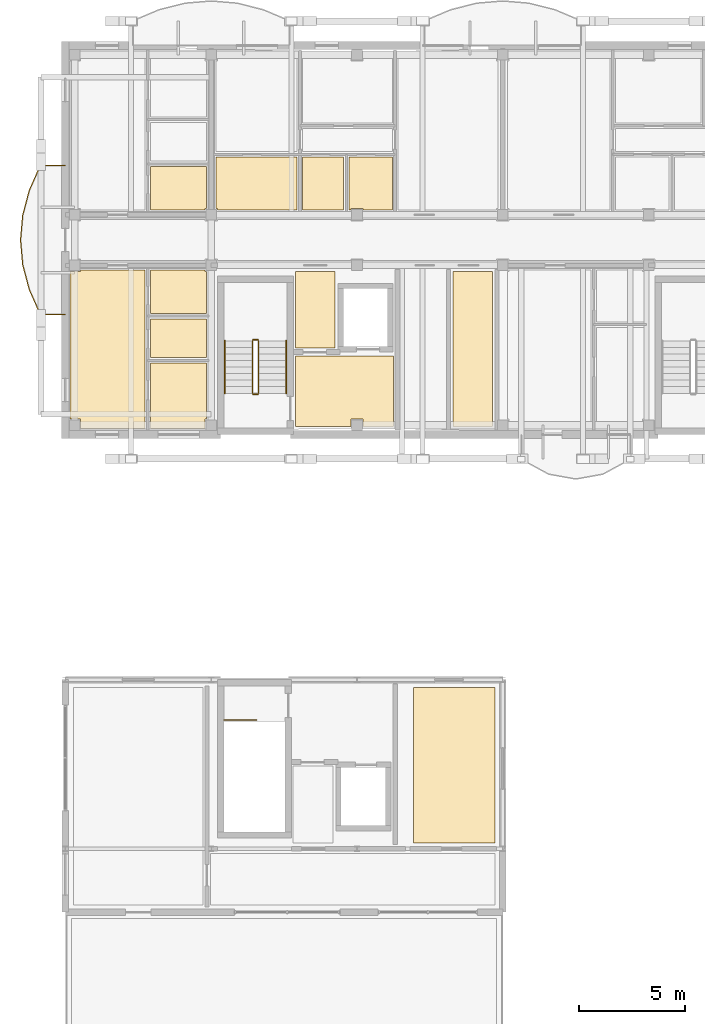
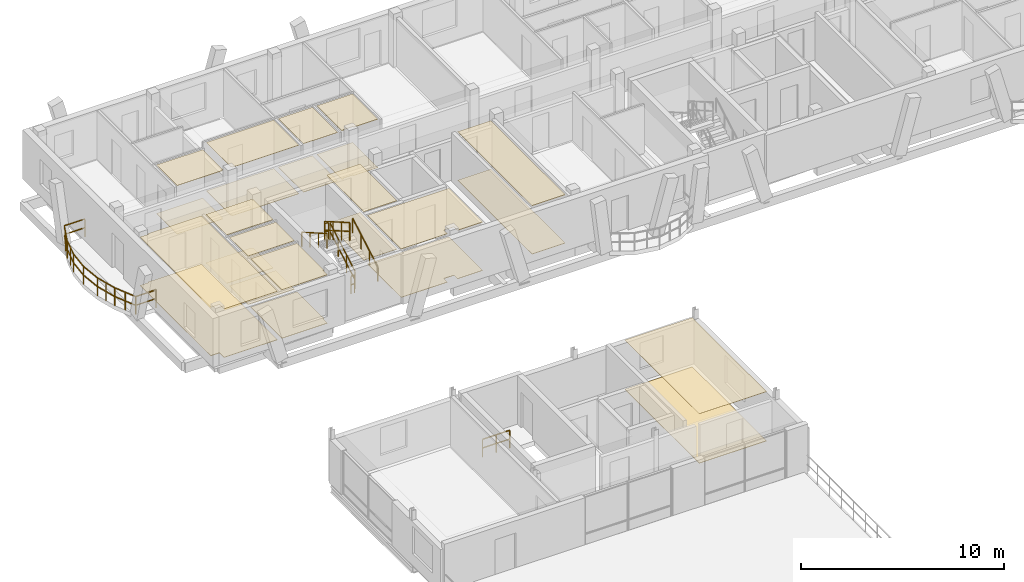
# One storey, part 94 of 109: 24 coverings, 8 railings.
"""IFC4 building model written with IfcOpenShell, lengths in metres."""

from ifc_helpers import new_model, si_unit, direction, frame, origin, origin_2d, place, context, subcontext, project, spatial, polyline, rectangle, outline, extrude, material, layer, layer_set, type_object, element, save


model = new_model("IFC4")

# Units and contexts
model_context = context("Model", 3, precision=1e-05, world=origin(), true_north=direction((0.0, 1.0)))
body_context = subcontext(model_context, "Body", "Model", "MODEL_VIEW")
ifc_project = project(units=[si_unit("LENGTHUNIT", "METRE"), si_unit("AREAUNIT", "SQUARE_METRE"), si_unit("VOLUMEUNIT", "CUBIC_METRE"), si_unit("PLANEANGLEUNIT", "RADIAN"), si_unit("MASSUNIT", "GRAM", prefix="KILO")], contexts=[model_context])

# Site, building, storey
site_placement = place(None, origin())
site = spatial("IfcSite", under=ifc_project, at=site_placement, CompositionType="ELEMENT")
building_placement = place(site_placement, origin())
building = spatial("IfcBuilding", under=site, at=building_placement, Name="Zavelmont Quarter", CompositionType="ELEMENT")
storey_placement = place(building_placement, frame((0.0, 0.0, 8.0)))
storey = spatial("IfcBuildingStorey", under=building, at=storey_placement, Name="L02", CompositionType="ELEMENT", Elevation=8.0)

# Coverings
ifc_material_1 = material(Name="Perforated acoustic gypsum board")
ifc_layer_1 = layer(ifc_material_1, 0.02490234375)
ifc_layer_set_1 = layer_set([ifc_layer_1], Name="Perforated acoustic gypsum board")
covering_type_1 = type_object("IfcCoveringType", Name="CV-CL01", PredefinedType="CEILING", material=ifc_layer_set_1)
covering_1_placement = place(storey_placement, frame((0.0, 0.0, 2.9150390625)))
element("IfcCovering", 1, at=covering_1_placement, inside=storey, type_object=covering_type_1, Name="L02 Firefighting Lobby acoustic ceiling", PredefinedType="CEILING", context=body_context, shape_type="SweptSolid", body=[
    extrude(outline(polyline([(10.8798828125, 101.320068359375), (15.52001953125, 101.320068359375), (15.52001953125, 97.97998046875), (14.090087890625, 97.97998046875), (14.090087890625, 98.330078125), (13.510009765625, 98.330078125), (13.510009765625, 97.97998046875), (10.8798828125, 97.97998046875), (10.8798828125, 101.320068359375)])), origin(), (0.0, 0.0, 1.0), 0.02490234375),
])
covering_2_placement = place(storey_placement, frame((0.0, 0.0, 2.9150390625)))
element("IfcCovering", 2, at=covering_2_placement, inside=storey, type_object=covering_type_1, Name="L02 Lobby Vestibule acoustic ceiling", PredefinedType="CEILING", context=body_context, shape_type="SweptSolid", body=[
    extrude(outline(polyline([(10.8798828125, 105.320068359375), (12.77001953125, 105.320068359375), (12.77001953125, 101.679931640625), (10.8798828125, 101.679931640625), (10.8798828125, 105.320068359375)])), origin(), (0.0, 0.0, 1.0), 0.02490234375),
])
covering_3_placement = place(storey_placement, frame((0.0, 0.0, 2.9150390625)))
element("IfcCovering", 3, at=covering_3_placement, inside=storey, type_object=covering_type_1, Name="L02 Cleaners Store acoustic ceiling", PredefinedType="CEILING", context=body_context, shape_type="SweptSolid", body=[
    extrude(outline(polyline([(18.330078125, 105.320068359375), (20.219970703125, 105.320068359375), (20.219970703125, 97.97998046875), (18.330078125, 97.97998046875), (18.330078125, 105.320068359375)])), origin(), (0.0, 0.0, 1.0), 0.02490234375),
])
covering_4_placement = place(storey_placement, frame((0.0, 0.0, 2.9150390625)))
element("IfcCovering", 4, at=covering_4_placement, inside=storey, type_object=covering_type_1, Name="L02 Kitchen acoustic ceiling", PredefinedType="CEILING", context=body_context, shape_type="SweptSolid", body=[
    extrude(outline(polyline([(4.030029296875, 110.27001953125), (6.669921875, 110.27001953125), (6.669921875, 108.2900390625), (6.610107421875, 108.2900390625), (6.610107421875, 108.22998046875), (4.030029296875, 108.22998046875), (4.030029296875, 110.27001953125)])), origin(), (0.0, 0.0, 1.0), 0.02490234375),
])
covering_5_placement = place(storey_placement, frame((0.0, 0.0, 2.9150390625)))
element("IfcCovering", 5, at=covering_5_placement, inside=storey, type_object=covering_type_1, Name="L02 Kitchen acoustic ceiling", PredefinedType="CEILING", context=body_context, shape_type="SweptSolid", body=[
    extrude(outline(polyline([(13.429931640625, 110.719970703125), (15.469970703125, 110.719970703125), (15.469970703125, 108.22998046875), (14.090087890625, 108.22998046875), (14.090087890625, 108.2900390625), (13.510009765625, 108.2900390625), (13.510009765625, 108.22998046875), (13.429931640625, 108.22998046875), (13.429931640625, 110.719970703125)])), origin(), (0.0, 0.0, 1.0), 0.02490234375),
])
covering_6_placement = place(storey_placement, frame((0.0, 0.0, 2.9150390625)))
element("IfcCovering", 6, at=covering_6_placement, inside=storey, type_object=covering_type_1, Name="L02 Living Dining acoustic ceiling", PredefinedType="CEILING", context=body_context, shape_type="SweptSolid", body=[
    extrude(outline(polyline([(0.22998046875, 105.31005859375), (0.72998046875, 105.31005859375), (0.72998046875, 105.3701171875), (3.77001953125, 105.3701171875), (3.77001953125, 97.8798828125), (0.72998046875, 97.8798828125), (0.72998046875, 98.330078125), (0.22998046875, 98.330078125), (0.22998046875, 105.31005859375)])), origin(), (0.0, 0.0, 1.0), 0.02490234375),
])
covering_7_placement = place(storey_placement, frame((0.0, 0.0, 2.9150390625)))
element("IfcCovering", 7, at=covering_7_placement, inside=storey, type_object=covering_type_1, Name="L02 Kitchen acoustic ceiling", PredefinedType="CEILING", context=body_context, shape_type="SweptSolid", body=[
    extrude(outline(polyline([(4.030029296875, 105.3701171875), (6.610107421875, 105.3701171875), (6.610107421875, 105.31005859375), (6.669921875, 105.31005859375), (6.669921875, 103.330078125), (4.030029296875, 103.330078125), (4.030029296875, 105.3701171875)])), origin(), (0.0, 0.0, 1.0), 0.02490234375),
])
covering_8_placement = place(storey_placement, frame((0.0, 0.0, 2.9150390625)))
element("IfcCovering", 8, at=covering_8_placement, inside=storey, type_object=covering_type_1, Name="L02 Single Bedroom acoustic ceiling", PredefinedType="CEILING", context=body_context, shape_type="SweptSolid", body=[
    extrude(outline(polyline([(4.030029296875, 100.969970703125), (6.669921875, 100.969970703125), (6.669921875, 98.330078125), (6.610107421875, 98.330078125), (6.610107421875, 97.8798828125), (4.030029296875, 97.8798828125), (4.030029296875, 100.969970703125)])), origin(), (0.0, 0.0, 1.0), 0.02490234375),
])
ifc_material_2 = material(Name="Moisture-resistant painted gypsum ceiling")
ifc_layer_2 = layer(ifc_material_2, 0.02001953125)
ifc_layer_set_2 = layer_set([ifc_layer_2], Name="Moisture-resistant painted gypsum ceiling")
covering_type_2 = type_object("IfcCoveringType", Name="CV-CL04", PredefinedType="CEILING", material=ifc_layer_set_2)
covering_9_placement = place(storey_placement, frame((0.0, 0.0, 2.969970703125)))
element("IfcCovering", 9, at=covering_9_placement, inside=storey, type_object=covering_type_2, Name="L02 Garden Accessible Toilet acoustic ceiling", PredefinedType="CEILING", context=body_context, shape_type="SweptSolid", body=[
    extrude(outline(polyline([(16.47998046875, 85.6201171875), (20.320068359375, 85.6201171875), (20.320068359375, 78.280029296875), (16.47998046875, 78.280029296875), (16.47998046875, 85.6201171875)])), origin(), (0.0, 0.0, 1.0), 0.02001953125),
])
covering_10_placement = place(storey_placement, frame((0.0, 0.0, 2.919921875)))
element("IfcCovering", 10, at=covering_10_placement, inside=storey, type_object=covering_type_2, Name="L02 Bathroom acoustic ceiling", PredefinedType="CEILING", context=body_context, shape_type="SweptSolid", body=[
    extrude(outline(polyline([(7.1298828125, 110.719970703125), (10.969970703125, 110.719970703125), (10.969970703125, 108.22998046875), (7.18994140625, 108.22998046875), (7.18994140625, 108.2900390625), (7.1298828125, 108.2900390625), (7.1298828125, 110.719970703125)])), origin(), (0.0, 0.0, 1.0), 0.02001953125),
])
covering_11_placement = place(storey_placement, frame((0.0, 0.0, 2.919921875)))
element("IfcCovering", 11, at=covering_11_placement, inside=storey, type_object=covering_type_2, Name="L02 Bathroom acoustic ceiling", PredefinedType="CEILING", context=body_context, shape_type="SweptSolid", body=[
    extrude(outline(polyline([(11.22998046875, 110.719970703125), (13.169921875, 110.719970703125), (13.169921875, 108.22998046875), (11.22998046875, 108.22998046875), (11.22998046875, 110.719970703125)])), origin(), (0.0, 0.0, 1.0), 0.02001953125),
])
covering_12_placement = place(storey_placement, frame((0.0, 0.0, 2.919921875)))
element("IfcCovering", 12, at=covering_12_placement, inside=storey, type_object=covering_type_2, Name="L02 Bathroom acoustic ceiling", PredefinedType="CEILING", context=body_context, shape_type="SweptSolid", body=[
    extrude(outline(polyline([(4.030029296875, 103.070068359375), (6.669921875, 103.070068359375), (6.669921875, 101.22998046875), (4.030029296875, 101.22998046875), (4.030029296875, 103.070068359375)])), origin(), (0.0, 0.0, 1.0), 0.02001953125),
])
ifc_material_3 = material(Name="Engineered European oak parquet")
ifc_layer_3 = layer(ifc_material_3, 0.02197265625)
ifc_layer_set_3 = layer_set([ifc_layer_3], Name="Engineered European oak parquet")
covering_type_3 = type_object("IfcCoveringType", Name="CV-FL01", PredefinedType="FLOORING", material=ifc_layer_set_3)
covering_13_placement = place(storey_placement, origin())
element("IfcCovering", 13, at=covering_13_placement, inside=storey, type_object=covering_type_3, Name="L02 Firefighting Lobby floor finish", PredefinedType="FLOORING", context=body_context, shape_type="SweptSolid", body=[
    extrude(outline(polyline([(10.8798828125, 101.320068359375), (15.52001953125, 101.320068359375), (15.52001953125, 97.97998046875), (14.090087890625, 97.97998046875), (14.090087890625, 98.330078125), (13.510009765625, 98.330078125), (13.510009765625, 97.97998046875), (10.8798828125, 97.97998046875), (10.8798828125, 101.320068359375)])), origin(), (0.0, 0.0, 1.0), 0.02197265625),
])
covering_14_placement = place(storey_placement, origin())
element("IfcCovering", 14, at=covering_14_placement, inside=storey, type_object=covering_type_3, Name="L02 Lobby Vestibule floor finish", PredefinedType="FLOORING", context=body_context, shape_type="SweptSolid", body=[
    extrude(outline(polyline([(10.8798828125, 105.320068359375), (12.77001953125, 105.320068359375), (12.77001953125, 101.679931640625), (10.8798828125, 101.679931640625), (10.8798828125, 105.320068359375)])), origin(), (0.0, 0.0, 1.0), 0.02197265625),
])
covering_15_placement = place(storey_placement, origin())
element("IfcCovering", 15, at=covering_15_placement, inside=storey, type_object=covering_type_3, Name="L02 Cleaners Store floor finish", PredefinedType="FLOORING", context=body_context, shape_type="SweptSolid", body=[
    extrude(outline(polyline([(18.330078125, 105.320068359375), (20.219970703125, 105.320068359375), (20.219970703125, 97.97998046875), (18.330078125, 97.97998046875), (18.330078125, 105.320068359375)])), origin(), (0.0, 0.0, 1.0), 0.02197265625),
])
covering_16_placement = place(storey_placement, origin())
element("IfcCovering", 16, at=covering_16_placement, inside=storey, type_object=covering_type_3, Name="L02 Kitchen floor finish", PredefinedType="FLOORING", context=body_context, shape_type="SweptSolid", body=[
    extrude(outline(polyline([(4.030029296875, 110.27001953125), (6.669921875, 110.27001953125), (6.669921875, 108.2900390625), (6.610107421875, 108.2900390625), (6.610107421875, 108.22998046875), (4.030029296875, 108.22998046875), (4.030029296875, 110.27001953125)])), origin(), (0.0, 0.0, 1.0), 0.02197265625),
])
covering_17_placement = place(storey_placement, origin())
element("IfcCovering", 17, at=covering_17_placement, inside=storey, type_object=covering_type_3, Name="L02 Kitchen floor finish", PredefinedType="FLOORING", context=body_context, shape_type="SweptSolid", body=[
    extrude(outline(polyline([(13.429931640625, 110.719970703125), (15.469970703125, 110.719970703125), (15.469970703125, 108.22998046875), (14.090087890625, 108.22998046875), (14.090087890625, 108.2900390625), (13.510009765625, 108.2900390625), (13.510009765625, 108.22998046875), (13.429931640625, 108.22998046875), (13.429931640625, 110.719970703125)])), origin(), (0.0, 0.0, 1.0), 0.02197265625),
])
covering_18_placement = place(storey_placement, origin())
element("IfcCovering", 18, at=covering_18_placement, inside=storey, type_object=covering_type_3, Name="L02 Living Dining floor finish", PredefinedType="FLOORING", context=body_context, shape_type="SweptSolid", body=[
    extrude(outline(polyline([(0.22998046875, 105.31005859375), (0.72998046875, 105.31005859375), (0.72998046875, 105.3701171875), (3.77001953125, 105.3701171875), (3.77001953125, 97.8798828125), (0.72998046875, 97.8798828125), (0.72998046875, 98.330078125), (0.22998046875, 98.330078125), (0.22998046875, 105.31005859375)])), origin(), (0.0, 0.0, 1.0), 0.02197265625),
])
covering_19_placement = place(storey_placement, origin())
element("IfcCovering", 19, at=covering_19_placement, inside=storey, type_object=covering_type_3, Name="L02 Kitchen floor finish", PredefinedType="FLOORING", context=body_context, shape_type="SweptSolid", body=[
    extrude(outline(polyline([(4.030029296875, 105.3701171875), (6.610107421875, 105.3701171875), (6.610107421875, 105.31005859375), (6.669921875, 105.31005859375), (6.669921875, 103.330078125), (4.030029296875, 103.330078125), (4.030029296875, 105.3701171875)])), origin(), (0.0, 0.0, 1.0), 0.02197265625),
])
covering_20_placement = place(storey_placement, origin())
element("IfcCovering", 20, at=covering_20_placement, inside=storey, type_object=covering_type_3, Name="L02 Single Bedroom floor finish", PredefinedType="FLOORING", context=body_context, shape_type="SweptSolid", body=[
    extrude(outline(polyline([(4.030029296875, 100.969970703125), (6.669921875, 100.969970703125), (6.669921875, 98.330078125), (6.610107421875, 98.330078125), (6.610107421875, 97.8798828125), (4.030029296875, 97.8798828125), (4.030029296875, 100.969970703125)])), origin(), (0.0, 0.0, 1.0), 0.02197265625),
])
ifc_material_4 = material(Name="Slip-resistant porcelain tile")
ifc_layer_4 = layer(ifc_material_4, 0.02587890625)
ifc_layer_set_4 = layer_set([ifc_layer_4], Name="Slip-resistant porcelain tile")
covering_type_4 = type_object("IfcCoveringType", Name="CV-FL04", PredefinedType="FLOORING", material=ifc_layer_set_4)
covering_21_placement = place(storey_placement, origin())
element("IfcCovering", 21, at=covering_21_placement, inside=storey, type_object=covering_type_4, Name="L02 Garden Accessible Toilet floor finish", PredefinedType="FLOORING", context=body_context, shape_type="SweptSolid", body=[
    extrude(outline(polyline([(16.47998046875, 85.6201171875), (20.320068359375, 85.6201171875), (20.320068359375, 78.280029296875), (16.47998046875, 78.280029296875), (16.47998046875, 85.6201171875)])), origin(), (0.0, 0.0, 1.0), 0.02587890625),
])
covering_22_placement = place(storey_placement, origin())
element("IfcCovering", 22, at=covering_22_placement, inside=storey, type_object=covering_type_4, Name="L02 Bathroom floor finish", PredefinedType="FLOORING", context=body_context, shape_type="SweptSolid", body=[
    extrude(outline(polyline([(7.1298828125, 110.719970703125), (10.969970703125, 110.719970703125), (10.969970703125, 108.22998046875), (7.18994140625, 108.22998046875), (7.18994140625, 108.2900390625), (7.1298828125, 108.2900390625), (7.1298828125, 110.719970703125)])), origin(), (0.0, 0.0, 1.0), 0.02587890625),
])
covering_23_placement = place(storey_placement, origin())
element("IfcCovering", 23, at=covering_23_placement, inside=storey, type_object=covering_type_4, Name="L02 Bathroom floor finish", PredefinedType="FLOORING", context=body_context, shape_type="SweptSolid", body=[
    extrude(outline(polyline([(11.22998046875, 110.719970703125), (13.169921875, 110.719970703125), (13.169921875, 108.22998046875), (11.22998046875, 108.22998046875), (11.22998046875, 110.719970703125)])), origin(), (0.0, 0.0, 1.0), 0.02587890625),
])
covering_24_placement = place(storey_placement, origin())
element("IfcCovering", 24, at=covering_24_placement, inside=storey, type_object=covering_type_4, Name="L02 Bathroom floor finish", PredefinedType="FLOORING", context=body_context, shape_type="SweptSolid", body=[
    extrude(outline(polyline([(4.030029296875, 103.070068359375), (6.669921875, 103.070068359375), (6.669921875, 101.22998046875), (4.030029296875, 101.22998046875), (4.030029296875, 103.070068359375)])), origin(), (0.0, 0.0, 1.0), 0.02587890625),
])

# Railings
ifc_material_5 = material(Name="Powder-coated steel and tempered double safety glass", Category="steel")
railing_type_1 = type_object("IfcRailingType", Name="RL-BAL1", PredefinedType="BALUSTRADE", material=ifc_material_5)
railing_1_placement = place(storey_placement, frame((-0.02001953125, 110.317626953125, 0.0)))
element("IfcRailing", 25, at=railing_1_placement, inside=storey, type_object=railing_type_1, Name="L02 Block B curved balcony guard RL-BAL1", PredefinedType="BALUSTRADE", context=body_context, shape_type="SweptSolid", body=[
    extrude(rectangle(XDim=0.048095703125, YDim=0.048095703125, at=origin_2d()), frame((0.0, 0.0, 1.076171875), z_axis=(-1.0, 0.0, 0.0), x_axis=(0.0, -1.0, 0.0)), (0.0, 0.0, 1.0), 1.16650390625),
    extrude(rectangle(XDim=0.048095703125, YDim=0.048095703125, at=origin_2d()), frame((0.0, 0.0, 0.550048828125), z_axis=(-1.0, 0.0, 0.0), x_axis=(0.0, -1.0, 0.0)), (0.0, 0.0, 1.0), 1.16650390625),
    extrude(rectangle(XDim=0.048095703125, YDim=0.048095703125, at=origin_2d()), frame((-1.16650390625, 0.0, 1.076171875), z_axis=(-0.40412308764, -0.914704613542, 0.0), x_axis=(0.914704613542, -0.40412308764, 0.0)), (0.0, 0.0, 1.0), 1.281982421875),
    extrude(rectangle(XDim=0.048095703125, YDim=0.048095703125, at=origin_2d()), frame((-1.16650390625, 0.0, 0.550048828125), z_axis=(-0.40412308764, -0.914704613542, 0.0), x_axis=(0.914704613542, -0.40412308764, 0.0)), (0.0, 0.0, 1.0), 1.281982421875),
    extrude(rectangle(XDim=0.048095703125, YDim=0.048095703125, at=origin_2d()), frame((-1.6845703125, -1.172607421875, 1.076171875), z_axis=(-0.256196788254, -0.966624645707, 0.0), x_axis=(0.966624645707, -0.256196788254, 0.0)), (0.0, 0.0, 1.0), 1.213134765625),
    extrude(rectangle(XDim=0.048095703125, YDim=0.048095703125, at=origin_2d()), frame((-1.6845703125, -1.172607421875, 0.550048828125), z_axis=(-0.256196788254, -0.966624645707, 0.0), x_axis=(0.966624645707, -0.256196788254, 0.0)), (0.0, 0.0, 1.0), 1.213134765625),
    extrude(rectangle(XDim=0.048095703125, YDim=0.048095703125, at=origin_2d()), frame((-1.995361328125, -2.34521484375, 1.076171875), z_axis=(-0.087954350419, -0.996124506396, 0.0), x_axis=(0.996124506396, -0.087954350419, 0.0)), (0.0, 0.0, 1.0), 1.177001953125),
    extrude(rectangle(XDim=0.048095703125, YDim=0.048095703125, at=origin_2d()), frame((-1.995361328125, -2.34521484375, 0.550048828125), z_axis=(-0.087954350419, -0.996124506396, 0.0), x_axis=(0.996124506396, -0.087954350419, 0.0)), (0.0, 0.0, 1.0), 1.177001953125),
    extrude(rectangle(XDim=0.048095703125, YDim=0.048095703125, at=origin_2d()), frame((-2.098876953125, -3.517578125, 1.076171875), z_axis=(0.087936179661, -0.996126110644, 0.0), x_axis=(0.996126110644, 0.087936179661, 0.0)), (0.0, 0.0, 1.0), 1.17724609375),
    extrude(rectangle(XDim=0.048095703125, YDim=0.048095703125, at=origin_2d()), frame((-2.098876953125, -3.517578125, 0.550048828125), z_axis=(0.087936179661, -0.996126110644, 0.0), x_axis=(0.996126110644, 0.087936179661, 0.0)), (0.0, 0.0, 1.0), 1.17724609375),
    extrude(rectangle(XDim=0.048095703125, YDim=0.048095703125, at=origin_2d()), frame((-1.995361328125, -4.690185546875, 1.076171875), z_axis=(0.256196788254, -0.966624645707, 0.0), x_axis=(0.966624645707, 0.256196788254, 0.0)), (0.0, 0.0, 1.0), 1.213134765625),
    extrude(rectangle(XDim=0.048095703125, YDim=0.048095703125, at=origin_2d()), frame((-1.995361328125, -4.690185546875, 0.550048828125), z_axis=(0.256196788254, -0.966624645707, 0.0), x_axis=(0.966624645707, 0.256196788254, 0.0)), (0.0, 0.0, 1.0), 1.213134765625),
    extrude(rectangle(XDim=0.048095703125, YDim=0.048095703125, at=origin_2d()), frame((-1.6845703125, -5.86279296875, 1.076171875), z_axis=(0.404193497113, -0.914673502891, 0.0), x_axis=(0.914673502891, 0.404193497113, 0.0)), (0.0, 0.0, 1.0), 1.28173828125),
    extrude(rectangle(XDim=0.048095703125, YDim=0.048095703125, at=origin_2d()), frame((-1.6845703125, -5.86279296875, 0.550048828125), z_axis=(0.404193497113, -0.914673502891, 0.0), x_axis=(0.914673502891, 0.404193497113, 0.0)), (0.0, 0.0, 1.0), 1.28173828125),
    extrude(rectangle(XDim=0.048095703125, YDim=0.048095703125, at=origin_2d()), frame((-1.16650390625, -7.03515625, 1.076171875), z_axis=(1.0, 0.0, 0.0), x_axis=(0.0, 1.0, 0.0)), (0.0, 0.0, 1.0), 1.16650390625),
    extrude(rectangle(XDim=0.048095703125, YDim=0.048095703125, at=origin_2d()), frame((-1.16650390625, -7.03515625, 0.550048828125), z_axis=(1.0, 0.0, 0.0), x_axis=(0.0, 1.0, 0.0)), (0.0, 0.0, 1.0), 1.16650390625),
    extrude(rectangle(XDim=0.0419921875, YDim=0.0419921875, at=origin_2d()), origin(), (0.0, 0.0, 1.0), 1.052001953125),
    extrude(rectangle(XDim=0.0419921875, YDim=0.0419921875, at=origin_2d()), frame((-1.16650390625, 0.0, 0.0)), (0.0, 0.0, 1.0), 1.052001953125),
    extrude(rectangle(XDim=0.0419921875, YDim=0.0419921875, at=origin_2d()), frame((-1.425537109375, -0.58642578125, 0.0)), (0.0, 0.0, 1.0), 1.052001953125),
    extrude(rectangle(XDim=0.0419921875, YDim=0.0419921875, at=origin_2d()), frame((-1.6845703125, -1.172607421875, 0.0)), (0.0, 0.0, 1.0), 1.052001953125),
    extrude(rectangle(XDim=0.0419921875, YDim=0.0419921875, at=origin_2d()), frame((-1.83984375, -1.7587890625, 0.0)), (0.0, 0.0, 1.0), 1.052001953125),
    extrude(rectangle(XDim=0.0419921875, YDim=0.0419921875, at=origin_2d()), frame((-1.995361328125, -2.34521484375, 0.0)), (0.0, 0.0, 1.0), 1.052001953125),
    extrude(rectangle(XDim=0.0419921875, YDim=0.0419921875, at=origin_2d()), frame((-2.098876953125, -3.517578125, 0.0)), (0.0, 0.0, 1.0), 1.052001953125),
    extrude(rectangle(XDim=0.0419921875, YDim=0.0419921875, at=origin_2d()), frame((-1.995361328125, -4.690185546875, 0.0)), (0.0, 0.0, 1.0), 1.052001953125),
    extrude(rectangle(XDim=0.0419921875, YDim=0.0419921875, at=origin_2d()), frame((-1.83984375, -5.2763671875, 0.0)), (0.0, 0.0, 1.0), 1.052001953125),
    extrude(rectangle(XDim=0.0419921875, YDim=0.0419921875, at=origin_2d()), frame((-1.6845703125, -5.86279296875, 0.0)), (0.0, 0.0, 1.0), 1.052001953125),
    extrude(rectangle(XDim=0.0419921875, YDim=0.0419921875, at=origin_2d()), frame((-1.425537109375, -6.448974609375, 0.0)), (0.0, 0.0, 1.0), 1.052001953125),
    extrude(rectangle(XDim=0.0419921875, YDim=0.0419921875, at=origin_2d()), frame((-1.16650390625, -7.03515625, 0.0)), (0.0, 0.0, 1.0), 1.052001953125),
    extrude(rectangle(XDim=0.0419921875, YDim=0.0419921875, at=origin_2d()), frame((0.0, -7.03515625, 0.0)), (0.0, 0.0, 1.0), 1.052001953125),
])
ifc_material_6 = material(Name="Powder-coated steel stair guardrail", Category="steel")
railing_type_2 = type_object("IfcRailingType", Name="RL-GRD1", PredefinedType="GUARDRAIL", material=ifc_material_6)
railing_2_placement = place(storey_placement, frame((9.14990234375, 99.550048828125, 0.177734375)))
element("IfcRailing", 26, at=railing_2_placement, inside=storey, type_object=railing_type_2, Name="L02 ST03 stair guardrail 1", PredefinedType="GUARDRAIL", context=body_context, shape_type="SweptSolid", body=[
    extrude(rectangle(XDim=0.048095703125, YDim=0.048095703125, at=origin_2d()), frame((0.0, 0.0, 1.076171875), z_axis=(0.0, 0.867453774394, 0.497517787913), x_axis=(-1.0, 0.0, 0.0)), (0.0, 0.0, 1.0), 2.85888671875),
    extrude(rectangle(XDim=0.048095703125, YDim=0.048095703125, at=origin_2d()), frame((0.0, 0.0, 0.550048828125), z_axis=(0.0, 0.867453774394, 0.497517787913), x_axis=(-1.0, 0.0, 0.0)), (0.0, 0.0, 1.0), 2.85888671875),
    extrude(rectangle(XDim=0.0419921875, YDim=0.0419921875, at=origin_2d()), origin(), (0.0, 0.0, 1.0), 1.052001953125),
    extrude(rectangle(XDim=0.0419921875, YDim=0.0419921875, at=origin_2d()), frame((0.0, 0.82666015625, 0.47412109375)), (0.0, 0.0, 1.0), 1.052001953125),
    extrude(rectangle(XDim=0.0419921875, YDim=0.0419921875, at=origin_2d()), frame((0.0, 1.6533203125, 0.9482421875)), (0.0, 0.0, 1.0), 1.052001953125),
    extrude(rectangle(XDim=0.0419921875, YDim=0.0419921875, at=origin_2d()), frame((0.0, 2.47998046875, 1.42236328125)), (0.0, 0.0, 1.0), 1.052001953125),
])
railing_3_placement = place(storey_placement, frame((9.10009765625, 102.080078125, 1.60009765625)))
element("IfcRailing", 27, at=railing_3_placement, inside=storey, type_object=railing_type_2, Name="L02 ST03 stair guardrail 2", PredefinedType="GUARDRAIL", context=body_context, shape_type="SweptSolid", body=[
    extrude(rectangle(XDim=0.048095703125, YDim=0.048095703125, at=origin_2d()), frame((0.0, 0.0, 1.076171875), z_axis=(-1.0, 0.0, 0.0), x_axis=(0.0, -1.0, 0.0)), (0.0, 0.0, 1.0), 0.2001953125),
    extrude(rectangle(XDim=0.048095703125, YDim=0.048095703125, at=origin_2d()), frame((0.0, 0.0, 0.550048828125), z_axis=(-1.0, 0.0, 0.0), x_axis=(0.0, -1.0, 0.0)), (0.0, 0.0, 1.0), 0.2001953125),
    extrude(rectangle(XDim=0.0419921875, YDim=0.0419921875, at=origin_2d()), origin(), (0.0, 0.0, 1.0), 1.052001953125),
    extrude(rectangle(XDim=0.0419921875, YDim=0.0419921875, at=origin_2d()), frame((-0.2001953125, 0.0, 0.0)), (0.0, 0.0, 1.0), 1.052001953125),
])
railing_4_placement = place(storey_placement, frame((8.85009765625, 102.030029296875, 1.77783203125)))
element("IfcRailing", 28, at=railing_4_placement, inside=storey, type_object=railing_type_2, Name="L02 ST03 stair guardrail 3", PredefinedType="GUARDRAIL", context=body_context, shape_type="SweptSolid", body=[
    extrude(rectangle(XDim=0.048095703125, YDim=0.048095703125, at=origin_2d()), frame((0.0, 0.0, 1.076171875), z_axis=(0.0, -0.867490628297, 0.497453525283), x_axis=(1.0, 0.0, 0.0)), (0.0, 0.0, 1.0), 2.85888671875),
    extrude(rectangle(XDim=0.048095703125, YDim=0.048095703125, at=origin_2d()), frame((0.0, 0.0, 0.550048828125), z_axis=(0.0, -0.867490628297, 0.497453525283), x_axis=(1.0, 0.0, 0.0)), (0.0, 0.0, 1.0), 2.85888671875),
    extrude(rectangle(XDim=0.0419921875, YDim=0.0419921875, at=origin_2d()), origin(), (0.0, 0.0, 1.0), 1.052001953125),
    extrude(rectangle(XDim=0.0419921875, YDim=0.0419921875, at=origin_2d()), frame((0.0, -0.82666015625, 0.47412109375)), (0.0, 0.0, 1.0), 1.052001953125),
    extrude(rectangle(XDim=0.0419921875, YDim=0.0419921875, at=origin_2d()), frame((0.0, -1.6533203125, 0.947998046875)), (0.0, 0.0, 1.0), 1.052001953125),
    extrude(rectangle(XDim=0.0419921875, YDim=0.0419921875, at=origin_2d()), frame((0.0, -2.47998046875, 1.422119140625)), (0.0, 0.0, 1.0), 1.052001953125),
])
railing_5_placement = place(storey_placement, frame((9.10009765625, 99.5, 0.0)))
element("IfcRailing", 29, at=railing_5_placement, inside=storey, type_object=railing_type_2, Name="L02 ST03 stair guardrail 4", PredefinedType="GUARDRAIL", context=body_context, shape_type="SweptSolid", body=[
    extrude(rectangle(XDim=0.048095703125, YDim=0.048095703125, at=origin_2d()), frame((0.0, 0.0, 1.076171875), z_axis=(-1.0, 0.0, 0.0), x_axis=(0.0, -1.0, 0.0)), (0.0, 0.0, 1.0), 0.2001953125),
    extrude(rectangle(XDim=0.048095703125, YDim=0.048095703125, at=origin_2d()), frame((0.0, 0.0, 0.550048828125), z_axis=(-1.0, 0.0, 0.0), x_axis=(0.0, -1.0, 0.0)), (0.0, 0.0, 1.0), 0.2001953125),
    extrude(rectangle(XDim=0.0419921875, YDim=0.0419921875, at=origin_2d()), origin(), (0.0, 0.0, 1.0), 1.052001953125),
    extrude(rectangle(XDim=0.0419921875, YDim=0.0419921875, at=origin_2d()), frame((-0.2001953125, 0.0, 0.0)), (0.0, 0.0, 1.0), 1.052001953125),
])
railing_6_placement = place(storey_placement, frame((7.5, 84.10009765625, 0.0)))
element("IfcRailing", 30, at=railing_6_placement, inside=storey, type_object=railing_type_2, Name="L02 ST14 top well guardrail 1", PredefinedType="GUARDRAIL", context=body_context, shape_type="SweptSolid", body=[
    extrude(rectangle(XDim=0.048095703125, YDim=0.048095703125, at=origin_2d()), frame((0.0, 0.0, 1.076171875), z_axis=(1.0, 0.0, 0.0), x_axis=(0.0, 1.0, 0.0)), (0.0, 0.0, 1.0), 1.550048828125),
    extrude(rectangle(XDim=0.048095703125, YDim=0.048095703125, at=origin_2d()), frame((0.0, 0.0, 0.550048828125), z_axis=(1.0, 0.0, 0.0), x_axis=(0.0, 1.0, 0.0)), (0.0, 0.0, 1.0), 1.550048828125),
    extrude(rectangle(XDim=0.0419921875, YDim=0.0419921875, at=origin_2d()), origin(), (0.0, 0.0, 1.0), 1.052001953125),
    extrude(rectangle(XDim=0.0419921875, YDim=0.0419921875, at=origin_2d()), frame((0.77490234375, 0.0, 0.0)), (0.0, 0.0, 1.0), 1.052001953125),
    extrude(rectangle(XDim=0.0419921875, YDim=0.0419921875, at=origin_2d()), frame((1.550048828125, 0.0, 0.0)), (0.0, 0.0, 1.0), 1.052001953125),
])
ifc_material_7 = material(Name="Brushed stainless-steel wall handrail", Category="steel")
railing_type_3 = type_object("IfcRailingType", Name="RL-HND1", PredefinedType="HANDRAIL", material=ifc_material_7)
railing_7_placement = place(storey_placement, frame((10.449951171875, 99.550048828125, 0.177734375)))
element("IfcRailing", 31, at=railing_7_placement, inside=storey, type_object=railing_type_3, Name="L02 ST03 stair handrail 1", PredefinedType="HANDRAIL", context=body_context, shape_type="SweptSolid", body=[
    extrude(rectangle(XDim=0.048095703125, YDim=0.048095703125, at=origin_2d()), frame((0.0, 0.0, 0.8759765625), z_axis=(0.0, 0.867453774394, 0.497517787913), x_axis=(-1.0, 0.0, 0.0)), (0.0, 0.0, 1.0), 2.85888671875),
    extrude(rectangle(XDim=0.0419921875, YDim=0.0419921875, at=origin_2d()), origin(), (0.0, 0.0, 1.0), 0.851806640625),
    extrude(rectangle(XDim=0.0419921875, YDim=0.0419921875, at=origin_2d()), frame((0.0, 0.82666015625, 0.47412109375)), (0.0, 0.0, 1.0), 0.851806640625),
    extrude(rectangle(XDim=0.0419921875, YDim=0.0419921875, at=origin_2d()), frame((0.0, 1.6533203125, 0.9482421875)), (0.0, 0.0, 1.0), 0.851806640625),
    extrude(rectangle(XDim=0.0419921875, YDim=0.0419921875, at=origin_2d()), frame((0.0, 2.47998046875, 1.42236328125)), (0.0, 0.0, 1.0), 0.851806640625),
])
railing_8_placement = place(storey_placement, frame((7.550048828125, 102.030029296875, 1.77783203125)))
element("IfcRailing", 32, at=railing_8_placement, inside=storey, type_object=railing_type_3, Name="L02 ST03 stair handrail 2", PredefinedType="HANDRAIL", context=body_context, shape_type="SweptSolid", body=[
    extrude(rectangle(XDim=0.048095703125, YDim=0.048095703125, at=origin_2d()), frame((0.0, 0.0, 0.8759765625), z_axis=(0.0, -0.867490628297, 0.497453525283), x_axis=(1.0, 0.0, 0.0)), (0.0, 0.0, 1.0), 2.85888671875),
    extrude(rectangle(XDim=0.0419921875, YDim=0.0419921875, at=origin_2d()), origin(), (0.0, 0.0, 1.0), 0.851806640625),
    extrude(rectangle(XDim=0.0419921875, YDim=0.0419921875, at=origin_2d()), frame((0.0, -0.82666015625, 0.47412109375)), (0.0, 0.0, 1.0), 0.851806640625),
    extrude(rectangle(XDim=0.0419921875, YDim=0.0419921875, at=origin_2d()), frame((0.0, -1.6533203125, 0.947998046875)), (0.0, 0.0, 1.0), 0.851806640625),
    extrude(rectangle(XDim=0.0419921875, YDim=0.0419921875, at=origin_2d()), frame((0.0, -2.47998046875, 1.422119140625)), (0.0, 0.0, 1.0), 0.851806640625),
])

save(model, "model.ifc")
